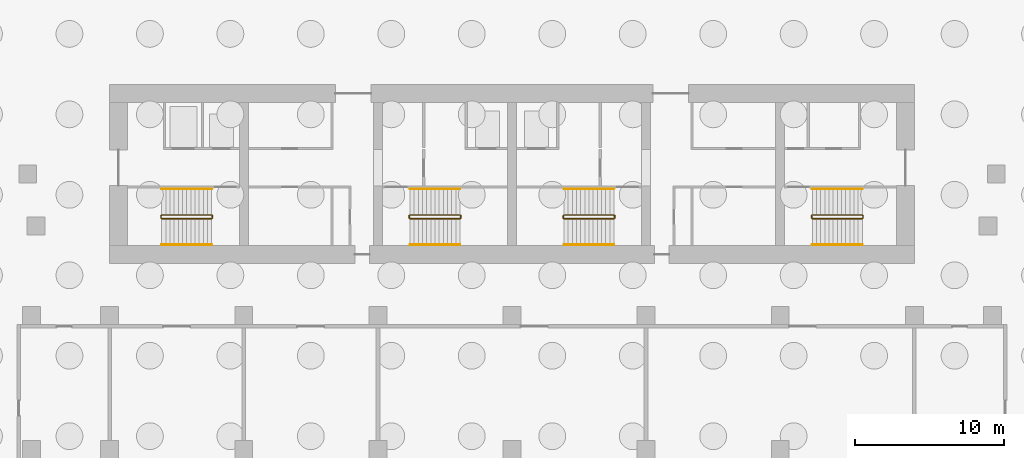
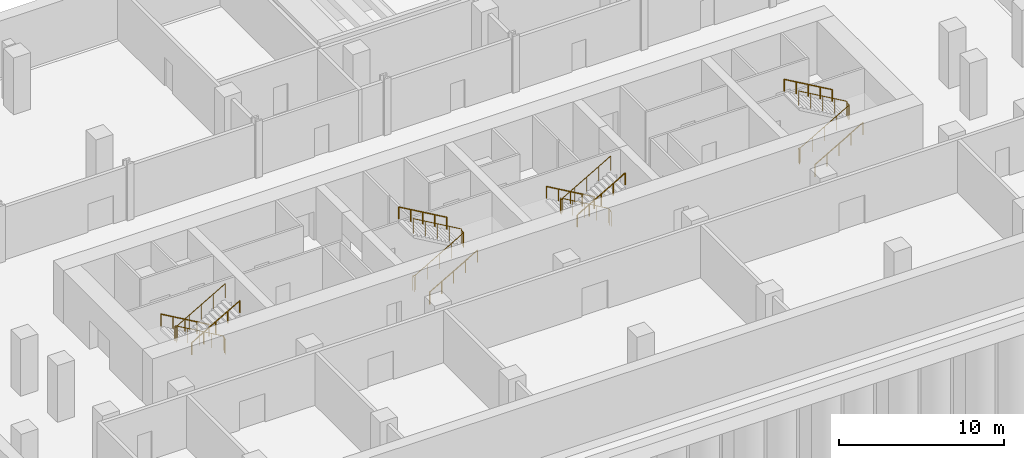
# One storey, part 7 of 8: 12 railings.
"""IFC4 building model written with IfcOpenShell, lengths in metres."""

from ifc_helpers import new_model, si_unit, direction, frame, origin, origin_2d, place, context, subcontext, project, spatial, circle, extrude, material, type_object, element, save


model = new_model("IFC4")

# Units and contexts
model_context = context("Model", 3, precision=1e-05, world=origin(), true_north=direction((0.0, 1.0)))
body_context = subcontext(model_context, "Body", "Model", "MODEL_VIEW")
ifc_project = project(units=[si_unit("LENGTHUNIT", "METRE"), si_unit("AREAUNIT", "SQUARE_METRE"), si_unit("VOLUMEUNIT", "CUBIC_METRE"), si_unit("PLANEANGLEUNIT", "RADIAN"), si_unit("MASSUNIT", "GRAM", prefix="KILO")], contexts=[model_context])

# Site, building, storey
site_placement = place(None, origin())
site = spatial("IfcSite", under=ifc_project, at=site_placement, CompositionType="ELEMENT")
building_placement = place(site_placement, origin())
building = spatial("IfcBuilding", under=site, at=building_placement, Name="Zellij Exchange Tower", CompositionType="ELEMENT")
storey_placement = place(building_placement, frame((0.0, 0.0, -12.60009765625)))
storey = spatial("IfcBuildingStorey", under=building, at=storey_placement, Name="B3", CompositionType="ELEMENT", Elevation=-12.60009765625)

# Railings
ifc_material = material(Name="Stainless steel", Category="steel")
railing_type_1 = type_object("IfcRailingType", Name="CORE-RG stair guard", PredefinedType="GUARDRAIL", material=ifc_material)
railing_1_placement = place(storey_placement, frame((-20.10009765625, -10.800048828125, 0.0)))
element("IfcRailing", 1, at=railing_1_placement, inside=storey, type_object=railing_type_1, Name="ST1 stair guard B3", PredefinedType="GUARDRAIL", context=body_context, shape_type="SweptSolid", body=[
    extrude(circle(Radius=0.02392578125, at=origin_2d()), frame((0.0, 0.0, 1.076171875), z_axis=(0.0, -1.0, 0.0), x_axis=(1.0, 0.0, 0.0)), (0.0, 0.0, 1.0), 0.14990234375),
    extrude(circle(Radius=0.02392578125, at=origin_2d()), frame((0.0, -0.14990234375, 1.076171875), z_axis=(-0.190179639309, 0.763515316636, 0.617151574619), x_axis=(-0.970351222016, -0.241699205484, 0.0)), (0.0, 0.0, 1.0), 0.261962890625),
    extrude(circle(Radius=0.02392578125, at=origin_2d()), frame((-0.0498046875, 0.050048828125, 1.23779296875), z_axis=(-0.866190824863, 0.0, 0.499713372768), x_axis=(0.0, -1.0, 0.0)), (0.0, 0.0, 1.0), 3.879150390625),
    extrude(circle(Radius=0.02392578125, at=origin_2d()), frame((-3.409912109375, 0.050048828125, 3.17626953125), z_axis=(-0.707106781187, -0.707106781187, 0.0), x_axis=(0.707106781187, -0.707106781187, 0.0)), (0.0, 0.0, 1.0), 0.07080078125),
    extrude(circle(Radius=0.02392578125, at=origin_2d()), frame((-3.4599609375, 0.0, 3.17626953125), z_axis=(0.0, -1.0, 0.0), x_axis=(1.0, 0.0, 0.0)), (0.0, 0.0, 1.0), 0.14990234375),
    extrude(circle(Radius=0.02392578125, at=origin_2d()), frame((-3.4599609375, -0.14990234375, 3.17626953125), z_axis=(0.283658853137, -0.283658853137, 0.916010540373), x_axis=(0.707106781187, 0.707106781187, 0.0)), (0.0, 0.0, 1.0), 0.176513671875),
    extrude(circle(Radius=0.02392578125, at=origin_2d()), frame((-3.409912109375, -0.199951171875, 3.337890625), z_axis=(0.866190824863, 0.0, 0.499713372768), x_axis=(0.0, 1.0, 0.0)), (0.0, 0.0, 1.0), 3.879150390625),
    extrude(circle(Radius=0.02099609375, at=origin_2d()), origin(), (0.0, 0.0, 1.0), 1.052001953125),
    extrude(circle(Radius=0.02099609375, at=origin_2d()), frame((0.0, -0.14990234375, 0.0)), (0.0, 0.0, 1.0), 1.052001953125),
    extrude(circle(Radius=0.02099609375, at=origin_2d()), frame((-0.0498046875, 0.050048828125, 0.16162109375)), (0.0, 0.0, 1.0), 1.052001953125),
    extrude(circle(Radius=0.02099609375, at=origin_2d()), frame((-0.889892578125, 0.050048828125, 0.646240234375)), (0.0, 0.0, 1.0), 1.052001953125),
    extrude(circle(Radius=0.02099609375, at=origin_2d()), frame((-1.72998046875, 0.050048828125, 1.130859375)), (0.0, 0.0, 1.0), 1.052001953125),
    extrude(circle(Radius=0.02099609375, at=origin_2d()), frame((-2.56982421875, 0.050048828125, 1.615478515625)), (0.0, 0.0, 1.0), 1.052001953125),
    extrude(circle(Radius=0.02099609375, at=origin_2d()), frame((-3.409912109375, 0.050048828125, 2.10009765625)), (0.0, 0.0, 1.0), 1.052001953125),
    extrude(circle(Radius=0.02099609375, at=origin_2d()), frame((-3.4599609375, 0.0, 2.10009765625)), (0.0, 0.0, 1.0), 1.052001953125),
    extrude(circle(Radius=0.02099609375, at=origin_2d()), frame((-3.4599609375, -0.14990234375, 2.10009765625)), (0.0, 0.0, 1.0), 1.052001953125),
    extrude(circle(Radius=0.02099609375, at=origin_2d()), frame((-3.409912109375, -0.199951171875, 2.26171875)), (0.0, 0.0, 1.0), 1.052001953125),
    extrude(circle(Radius=0.02099609375, at=origin_2d()), frame((-2.56982421875, -0.199951171875, 2.746337890625)), (0.0, 0.0, 1.0), 1.052001953125),
    extrude(circle(Radius=0.02099609375, at=origin_2d()), frame((-1.72998046875, -0.199951171875, 3.23095703125)), (0.0, 0.0, 1.0), 1.052001953125),
    extrude(circle(Radius=0.02099609375, at=origin_2d()), frame((-0.889892578125, -0.199951171875, 3.715576171875)), (0.0, 0.0, 1.0), 1.052001953125),
    extrude(circle(Radius=0.02099609375, at=origin_2d()), frame((-0.0498046875, -0.199951171875, 4.2001953125)), (0.0, 0.0, 1.0), 1.052001953125),
])
railing_2_placement = place(storey_placement, frame((-6.89990234375, -10.949951171875, 0.0)))
element("IfcRailing", 2, at=railing_2_placement, inside=storey, type_object=railing_type_1, Name="ST2 stair guard B3", PredefinedType="GUARDRAIL", context=body_context, shape_type="SweptSolid", body=[
    extrude(circle(Radius=0.02392578125, at=origin_2d()), frame((0.0, 0.0, 1.076171875), z_axis=(0.0, 1.0, 0.0), x_axis=(-1.0, 0.0, 0.0)), (0.0, 0.0, 1.0), 0.14990234375),
    extrude(circle(Radius=0.02392578125, at=origin_2d()), frame((0.0, 0.14990234375, 1.076171875), z_axis=(0.190179639309, -0.763515316636, 0.617151574619), x_axis=(0.970351222016, 0.241699205484, 0.0)), (0.0, 0.0, 1.0), 0.261962890625),
    extrude(circle(Radius=0.02392578125, at=origin_2d()), frame((0.0498046875, -0.050048828125, 1.23779296875), z_axis=(0.866190824863, 0.0, 0.499713372768), x_axis=(0.0, 1.0, 0.0)), (0.0, 0.0, 1.0), 3.879150390625),
    extrude(circle(Radius=0.02392578125, at=origin_2d()), frame((3.409912109375, -0.050048828125, 3.17626953125), z_axis=(0.707106781187, 0.707106781187, 0.0), x_axis=(-0.707106781187, 0.707106781187, 0.0)), (0.0, 0.0, 1.0), 0.07080078125),
    extrude(circle(Radius=0.02392578125, at=origin_2d()), frame((3.4599609375, 0.0, 3.17626953125), z_axis=(0.0, 1.0, 0.0), x_axis=(-1.0, 0.0, 0.0)), (0.0, 0.0, 1.0), 0.14990234375),
    extrude(circle(Radius=0.02392578125, at=origin_2d()), frame((3.4599609375, 0.14990234375, 3.17626953125), z_axis=(-0.283658853137, 0.283658853137, 0.916010540373), x_axis=(-0.707106781187, -0.707106781187, 0.0)), (0.0, 0.0, 1.0), 0.176513671875),
    extrude(circle(Radius=0.02392578125, at=origin_2d()), frame((3.409912109375, 0.199951171875, 3.337890625), z_axis=(-0.866190824863, 0.0, 0.499713372768), x_axis=(0.0, -1.0, 0.0)), (0.0, 0.0, 1.0), 3.879150390625),
    extrude(circle(Radius=0.02099609375, at=origin_2d()), origin(), (0.0, 0.0, 1.0), 1.052001953125),
    extrude(circle(Radius=0.02099609375, at=origin_2d()), frame((0.0, 0.14990234375, 0.0)), (0.0, 0.0, 1.0), 1.052001953125),
    extrude(circle(Radius=0.02099609375, at=origin_2d()), frame((0.0498046875, -0.050048828125, 0.16162109375)), (0.0, 0.0, 1.0), 1.052001953125),
    extrude(circle(Radius=0.02099609375, at=origin_2d()), frame((0.889892578125, -0.050048828125, 0.646240234375)), (0.0, 0.0, 1.0), 1.052001953125),
    extrude(circle(Radius=0.02099609375, at=origin_2d()), frame((1.72998046875, -0.050048828125, 1.130859375)), (0.0, 0.0, 1.0), 1.052001953125),
    extrude(circle(Radius=0.02099609375, at=origin_2d()), frame((2.56982421875, -0.050048828125, 1.615478515625)), (0.0, 0.0, 1.0), 1.052001953125),
    extrude(circle(Radius=0.02099609375, at=origin_2d()), frame((3.409912109375, -0.050048828125, 2.10009765625)), (0.0, 0.0, 1.0), 1.052001953125),
    extrude(circle(Radius=0.02099609375, at=origin_2d()), frame((3.4599609375, 0.0, 2.10009765625)), (0.0, 0.0, 1.0), 1.052001953125),
    extrude(circle(Radius=0.02099609375, at=origin_2d()), frame((3.4599609375, 0.14990234375, 2.10009765625)), (0.0, 0.0, 1.0), 1.052001953125),
    extrude(circle(Radius=0.02099609375, at=origin_2d()), frame((3.409912109375, 0.199951171875, 2.26171875)), (0.0, 0.0, 1.0), 1.052001953125),
    extrude(circle(Radius=0.02099609375, at=origin_2d()), frame((2.56982421875, 0.199951171875, 2.746337890625)), (0.0, 0.0, 1.0), 1.052001953125),
    extrude(circle(Radius=0.02099609375, at=origin_2d()), frame((1.72998046875, 0.199951171875, 3.23095703125)), (0.0, 0.0, 1.0), 1.052001953125),
    extrude(circle(Radius=0.02099609375, at=origin_2d()), frame((0.889892578125, 0.199951171875, 3.715576171875)), (0.0, 0.0, 1.0), 1.052001953125),
    extrude(circle(Radius=0.02099609375, at=origin_2d()), frame((0.0498046875, 0.199951171875, 4.2001953125)), (0.0, 0.0, 1.0), 1.052001953125),
])
railing_3_placement = place(storey_placement, frame((6.89990234375, -10.800048828125, 0.0)))
element("IfcRailing", 3, at=railing_3_placement, inside=storey, type_object=railing_type_1, Name="ST3 stair guard B3", PredefinedType="GUARDRAIL", context=body_context, shape_type="SweptSolid", body=[
    extrude(circle(Radius=0.02392578125, at=origin_2d()), frame((0.0, 0.0, 1.076171875), z_axis=(0.0, -1.0, 0.0), x_axis=(1.0, 0.0, 0.0)), (0.0, 0.0, 1.0), 0.14990234375),
    extrude(circle(Radius=0.02392578125, at=origin_2d()), frame((0.0, -0.14990234375, 1.076171875), z_axis=(-0.190179639309, 0.763515316636, 0.617151574619), x_axis=(-0.970351222016, -0.241699205484, 0.0)), (0.0, 0.0, 1.0), 0.261962890625),
    extrude(circle(Radius=0.02392578125, at=origin_2d()), frame((-0.0498046875, 0.050048828125, 1.23779296875), z_axis=(-0.866190824863, 0.0, 0.499713372768), x_axis=(0.0, -1.0, 0.0)), (0.0, 0.0, 1.0), 3.879150390625),
    extrude(circle(Radius=0.02392578125, at=origin_2d()), frame((-3.409912109375, 0.050048828125, 3.17626953125), z_axis=(-0.707106781187, -0.707106781187, 0.0), x_axis=(0.707106781187, -0.707106781187, 0.0)), (0.0, 0.0, 1.0), 0.07080078125),
    extrude(circle(Radius=0.02392578125, at=origin_2d()), frame((-3.4599609375, 0.0, 3.17626953125), z_axis=(0.0, -1.0, 0.0), x_axis=(1.0, 0.0, 0.0)), (0.0, 0.0, 1.0), 0.14990234375),
    extrude(circle(Radius=0.02392578125, at=origin_2d()), frame((-3.4599609375, -0.14990234375, 3.17626953125), z_axis=(0.283658853137, -0.283658853137, 0.916010540373), x_axis=(0.707106781187, 0.707106781187, 0.0)), (0.0, 0.0, 1.0), 0.176513671875),
    extrude(circle(Radius=0.02392578125, at=origin_2d()), frame((-3.409912109375, -0.199951171875, 3.337890625), z_axis=(0.866190824863, 0.0, 0.499713372768), x_axis=(0.0, 1.0, 0.0)), (0.0, 0.0, 1.0), 3.879150390625),
    extrude(circle(Radius=0.02099609375, at=origin_2d()), origin(), (0.0, 0.0, 1.0), 1.052001953125),
    extrude(circle(Radius=0.02099609375, at=origin_2d()), frame((0.0, -0.14990234375, 0.0)), (0.0, 0.0, 1.0), 1.052001953125),
    extrude(circle(Radius=0.02099609375, at=origin_2d()), frame((-0.0498046875, 0.050048828125, 0.16162109375)), (0.0, 0.0, 1.0), 1.052001953125),
    extrude(circle(Radius=0.02099609375, at=origin_2d()), frame((-0.889892578125, 0.050048828125, 0.646240234375)), (0.0, 0.0, 1.0), 1.052001953125),
    extrude(circle(Radius=0.02099609375, at=origin_2d()), frame((-1.72998046875, 0.050048828125, 1.130859375)), (0.0, 0.0, 1.0), 1.052001953125),
    extrude(circle(Radius=0.02099609375, at=origin_2d()), frame((-2.56982421875, 0.050048828125, 1.615478515625)), (0.0, 0.0, 1.0), 1.052001953125),
    extrude(circle(Radius=0.02099609375, at=origin_2d()), frame((-3.409912109375, 0.050048828125, 2.10009765625)), (0.0, 0.0, 1.0), 1.052001953125),
    extrude(circle(Radius=0.02099609375, at=origin_2d()), frame((-3.4599609375, 0.0, 2.10009765625)), (0.0, 0.0, 1.0), 1.052001953125),
    extrude(circle(Radius=0.02099609375, at=origin_2d()), frame((-3.4599609375, -0.14990234375, 2.10009765625)), (0.0, 0.0, 1.0), 1.052001953125),
    extrude(circle(Radius=0.02099609375, at=origin_2d()), frame((-3.409912109375, -0.199951171875, 2.26171875)), (0.0, 0.0, 1.0), 1.052001953125),
    extrude(circle(Radius=0.02099609375, at=origin_2d()), frame((-2.56982421875, -0.199951171875, 2.746337890625)), (0.0, 0.0, 1.0), 1.052001953125),
    extrude(circle(Radius=0.02099609375, at=origin_2d()), frame((-1.72998046875, -0.199951171875, 3.23095703125)), (0.0, 0.0, 1.0), 1.052001953125),
    extrude(circle(Radius=0.02099609375, at=origin_2d()), frame((-0.889892578125, -0.199951171875, 3.715576171875)), (0.0, 0.0, 1.0), 1.052001953125),
    extrude(circle(Radius=0.02099609375, at=origin_2d()), frame((-0.0498046875, -0.199951171875, 4.2001953125)), (0.0, 0.0, 1.0), 1.052001953125),
])
railing_4_placement = place(storey_placement, frame((20.10009765625, -10.949951171875, 0.0)))
element("IfcRailing", 4, at=railing_4_placement, inside=storey, type_object=railing_type_1, Name="ST4 stair guard B3", PredefinedType="GUARDRAIL", context=body_context, shape_type="SweptSolid", body=[
    extrude(circle(Radius=0.02392578125, at=origin_2d()), frame((0.0, 0.0, 1.076171875), z_axis=(0.0, 1.0, 0.0), x_axis=(-1.0, 0.0, 0.0)), (0.0, 0.0, 1.0), 0.14990234375),
    extrude(circle(Radius=0.02392578125, at=origin_2d()), frame((0.0, 0.14990234375, 1.076171875), z_axis=(0.190179639309, -0.763515316636, 0.617151574619), x_axis=(0.970351222016, 0.241699205484, 0.0)), (0.0, 0.0, 1.0), 0.261962890625),
    extrude(circle(Radius=0.02392578125, at=origin_2d()), frame((0.0498046875, -0.050048828125, 1.23779296875), z_axis=(0.866190824863, 0.0, 0.499713372768), x_axis=(0.0, 1.0, 0.0)), (0.0, 0.0, 1.0), 3.879150390625),
    extrude(circle(Radius=0.02392578125, at=origin_2d()), frame((3.409912109375, -0.050048828125, 3.17626953125), z_axis=(0.707106781187, 0.707106781187, 0.0), x_axis=(-0.707106781187, 0.707106781187, 0.0)), (0.0, 0.0, 1.0), 0.07080078125),
    extrude(circle(Radius=0.02392578125, at=origin_2d()), frame((3.4599609375, 0.0, 3.17626953125), z_axis=(0.0, 1.0, 0.0), x_axis=(-1.0, 0.0, 0.0)), (0.0, 0.0, 1.0), 0.14990234375),
    extrude(circle(Radius=0.02392578125, at=origin_2d()), frame((3.4599609375, 0.14990234375, 3.17626953125), z_axis=(-0.283658853137, 0.283658853137, 0.916010540373), x_axis=(-0.707106781187, -0.707106781187, 0.0)), (0.0, 0.0, 1.0), 0.176513671875),
    extrude(circle(Radius=0.02392578125, at=origin_2d()), frame((3.409912109375, 0.199951171875, 3.337890625), z_axis=(-0.866190824863, 0.0, 0.499713372768), x_axis=(0.0, -1.0, 0.0)), (0.0, 0.0, 1.0), 3.879150390625),
    extrude(circle(Radius=0.02099609375, at=origin_2d()), origin(), (0.0, 0.0, 1.0), 1.052001953125),
    extrude(circle(Radius=0.02099609375, at=origin_2d()), frame((0.0, 0.14990234375, 0.0)), (0.0, 0.0, 1.0), 1.052001953125),
    extrude(circle(Radius=0.02099609375, at=origin_2d()), frame((0.0498046875, -0.050048828125, 0.16162109375)), (0.0, 0.0, 1.0), 1.052001953125),
    extrude(circle(Radius=0.02099609375, at=origin_2d()), frame((0.889892578125, -0.050048828125, 0.646240234375)), (0.0, 0.0, 1.0), 1.052001953125),
    extrude(circle(Radius=0.02099609375, at=origin_2d()), frame((1.72998046875, -0.050048828125, 1.130859375)), (0.0, 0.0, 1.0), 1.052001953125),
    extrude(circle(Radius=0.02099609375, at=origin_2d()), frame((2.56982421875, -0.050048828125, 1.615478515625)), (0.0, 0.0, 1.0), 1.052001953125),
    extrude(circle(Radius=0.02099609375, at=origin_2d()), frame((3.409912109375, -0.050048828125, 2.10009765625)), (0.0, 0.0, 1.0), 1.052001953125),
    extrude(circle(Radius=0.02099609375, at=origin_2d()), frame((3.4599609375, 0.0, 2.10009765625)), (0.0, 0.0, 1.0), 1.052001953125),
    extrude(circle(Radius=0.02099609375, at=origin_2d()), frame((3.4599609375, 0.14990234375, 2.10009765625)), (0.0, 0.0, 1.0), 1.052001953125),
    extrude(circle(Radius=0.02099609375, at=origin_2d()), frame((3.409912109375, 0.199951171875, 2.26171875)), (0.0, 0.0, 1.0), 1.052001953125),
    extrude(circle(Radius=0.02099609375, at=origin_2d()), frame((2.56982421875, 0.199951171875, 2.746337890625)), (0.0, 0.0, 1.0), 1.052001953125),
    extrude(circle(Radius=0.02099609375, at=origin_2d()), frame((1.72998046875, 0.199951171875, 3.23095703125)), (0.0, 0.0, 1.0), 1.052001953125),
    extrude(circle(Radius=0.02099609375, at=origin_2d()), frame((0.889892578125, 0.199951171875, 3.715576171875)), (0.0, 0.0, 1.0), 1.052001953125),
    extrude(circle(Radius=0.02099609375, at=origin_2d()), frame((0.0498046875, 0.199951171875, 4.2001953125)), (0.0, 0.0, 1.0), 1.052001953125),
])
railing_type_2 = type_object("IfcRailingType", Name="CORE-RH stair handrail", PredefinedType="HANDRAIL", material=ifc_material)
railing_5_placement = place(storey_placement, frame((-20.14990234375, -9.0, 0.16162109375)))
element("IfcRailing", 5, at=railing_5_placement, inside=storey, type_object=railing_type_2, Name="ST1 stair handrail B3", PredefinedType="HANDRAIL", context=body_context, shape_type="SweptSolid", body=[
    extrude(circle(Radius=0.02392578125, at=origin_2d()), frame((0.0, 0.0, 0.8759765625), z_axis=(-0.866190824863, 0.0, 0.499713372768), x_axis=(0.0, -1.0, 0.0)), (0.0, 0.0, 1.0), 3.879150390625),
    extrude(circle(Radius=0.02099609375, at=origin_2d()), origin(), (0.0, 0.0, 1.0), 0.851806640625),
    extrude(circle(Radius=0.02099609375, at=origin_2d()), frame((-0.840087890625, 0.0, 0.484619140625)), (0.0, 0.0, 1.0), 0.851806640625),
    extrude(circle(Radius=0.02099609375, at=origin_2d()), frame((-1.68017578125, 0.0, 0.96923828125)), (0.0, 0.0, 1.0), 0.851806640625),
    extrude(circle(Radius=0.02099609375, at=origin_2d()), frame((-2.52001953125, 0.0, 1.453857421875)), (0.0, 0.0, 1.0), 0.851806640625),
    extrude(circle(Radius=0.02099609375, at=origin_2d()), frame((-3.360107421875, 0.0, 1.9384765625)), (0.0, 0.0, 1.0), 0.851806640625),
])
for number, where, name in (
    (6, (-23.510009765625, -12.75, 2.26171875), "ST1 stair handrail B3"),
    (7, (-6.85009765625, -12.75, 0.16162109375), "ST2 stair handrail B3"),
):
    element("IfcRailing", number, at=place(storey_placement, frame(where)), inside=storey, type_object=railing_type_2, Name=name, PredefinedType="HANDRAIL", context=body_context, shape_type="SweptSolid", body=[
        extrude(circle(Radius=0.02392578125, at=origin_2d()), frame((0.0, 0.0, 0.8759765625), z_axis=(0.866190824863, 0.0, 0.499713372768), x_axis=(0.0, 1.0, 0.0)), (0.0, 0.0, 1.0), 3.879150390625),
        extrude(circle(Radius=0.02099609375, at=origin_2d()), origin(), (0.0, 0.0, 1.0), 0.851806640625),
        extrude(circle(Radius=0.02099609375, at=origin_2d()), frame((0.840087890625, 0.0, 0.484619140625)), (0.0, 0.0, 1.0), 0.851806640625),
        extrude(circle(Radius=0.02099609375, at=origin_2d()), frame((1.68017578125, 0.0, 0.96923828125)), (0.0, 0.0, 1.0), 0.851806640625),
        extrude(circle(Radius=0.02099609375, at=origin_2d()), frame((2.52001953125, 0.0, 1.453857421875)), (0.0, 0.0, 1.0), 0.851806640625),
        extrude(circle(Radius=0.02099609375, at=origin_2d()), frame((3.360107421875, 0.0, 1.9384765625)), (0.0, 0.0, 1.0), 0.851806640625),
    ])
for number, where, name in (
    (8, (-3.489990234375, -9.0, 2.26171875), "ST2 stair handrail B3"),
    (9, (6.85009765625, -9.0, 0.16162109375), "ST3 stair handrail B3"),
):
    element("IfcRailing", number, at=place(storey_placement, frame(where)), inside=storey, type_object=railing_type_2, Name=name, PredefinedType="HANDRAIL", context=body_context, shape_type="SweptSolid", body=[
        extrude(circle(Radius=0.02392578125, at=origin_2d()), frame((0.0, 0.0, 0.8759765625), z_axis=(-0.866190824863, 0.0, 0.499713372768), x_axis=(0.0, -1.0, 0.0)), (0.0, 0.0, 1.0), 3.879150390625),
        extrude(circle(Radius=0.02099609375, at=origin_2d()), origin(), (0.0, 0.0, 1.0), 0.851806640625),
        extrude(circle(Radius=0.02099609375, at=origin_2d()), frame((-0.840087890625, 0.0, 0.484619140625)), (0.0, 0.0, 1.0), 0.851806640625),
        extrude(circle(Radius=0.02099609375, at=origin_2d()), frame((-1.68017578125, 0.0, 0.96923828125)), (0.0, 0.0, 1.0), 0.851806640625),
        extrude(circle(Radius=0.02099609375, at=origin_2d()), frame((-2.52001953125, 0.0, 1.453857421875)), (0.0, 0.0, 1.0), 0.851806640625),
        extrude(circle(Radius=0.02099609375, at=origin_2d()), frame((-3.360107421875, 0.0, 1.9384765625)), (0.0, 0.0, 1.0), 0.851806640625),
    ])
for number, where, name in (
    (10, (3.489990234375, -12.75, 2.26171875), "ST3 stair handrail B3"),
    (11, (20.14990234375, -12.75, 0.16162109375), "ST4 stair handrail B3"),
):
    element("IfcRailing", number, at=place(storey_placement, frame(where)), inside=storey, type_object=railing_type_2, Name=name, PredefinedType="HANDRAIL", context=body_context, shape_type="SweptSolid", body=[
        extrude(circle(Radius=0.02392578125, at=origin_2d()), frame((0.0, 0.0, 0.8759765625), z_axis=(0.866190824863, 0.0, 0.499713372768), x_axis=(0.0, 1.0, 0.0)), (0.0, 0.0, 1.0), 3.879150390625),
        extrude(circle(Radius=0.02099609375, at=origin_2d()), origin(), (0.0, 0.0, 1.0), 0.851806640625),
        extrude(circle(Radius=0.02099609375, at=origin_2d()), frame((0.840087890625, 0.0, 0.484619140625)), (0.0, 0.0, 1.0), 0.851806640625),
        extrude(circle(Radius=0.02099609375, at=origin_2d()), frame((1.68017578125, 0.0, 0.96923828125)), (0.0, 0.0, 1.0), 0.851806640625),
        extrude(circle(Radius=0.02099609375, at=origin_2d()), frame((2.52001953125, 0.0, 1.453857421875)), (0.0, 0.0, 1.0), 0.851806640625),
        extrude(circle(Radius=0.02099609375, at=origin_2d()), frame((3.360107421875, 0.0, 1.9384765625)), (0.0, 0.0, 1.0), 0.851806640625),
    ])
railing_6_placement = place(storey_placement, frame((23.510009765625, -9.0, 2.26171875)))
element("IfcRailing", 12, at=railing_6_placement, inside=storey, type_object=railing_type_2, Name="ST4 stair handrail B3", PredefinedType="HANDRAIL", context=body_context, shape_type="SweptSolid", body=[
    extrude(circle(Radius=0.02392578125, at=origin_2d()), frame((0.0, 0.0, 0.8759765625), z_axis=(-0.866190824863, 0.0, 0.499713372768), x_axis=(0.0, -1.0, 0.0)), (0.0, 0.0, 1.0), 3.879150390625),
    extrude(circle(Radius=0.02099609375, at=origin_2d()), origin(), (0.0, 0.0, 1.0), 0.851806640625),
    extrude(circle(Radius=0.02099609375, at=origin_2d()), frame((-0.840087890625, 0.0, 0.484619140625)), (0.0, 0.0, 1.0), 0.851806640625),
    extrude(circle(Radius=0.02099609375, at=origin_2d()), frame((-1.68017578125, 0.0, 0.96923828125)), (0.0, 0.0, 1.0), 0.851806640625),
    extrude(circle(Radius=0.02099609375, at=origin_2d()), frame((-2.52001953125, 0.0, 1.453857421875)), (0.0, 0.0, 1.0), 0.851806640625),
    extrude(circle(Radius=0.02099609375, at=origin_2d()), frame((-3.360107421875, 0.0, 1.9384765625)), (0.0, 0.0, 1.0), 0.851806640625),
])

save(model, "model.ifc")
